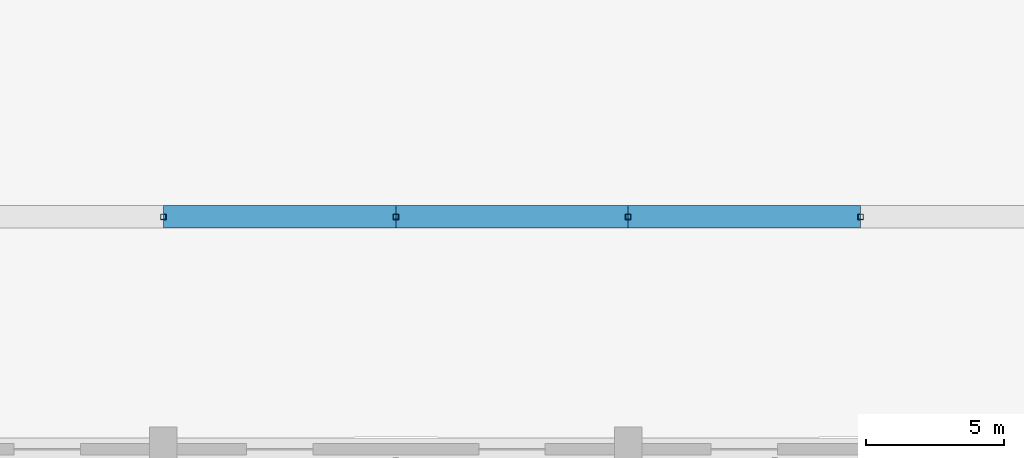
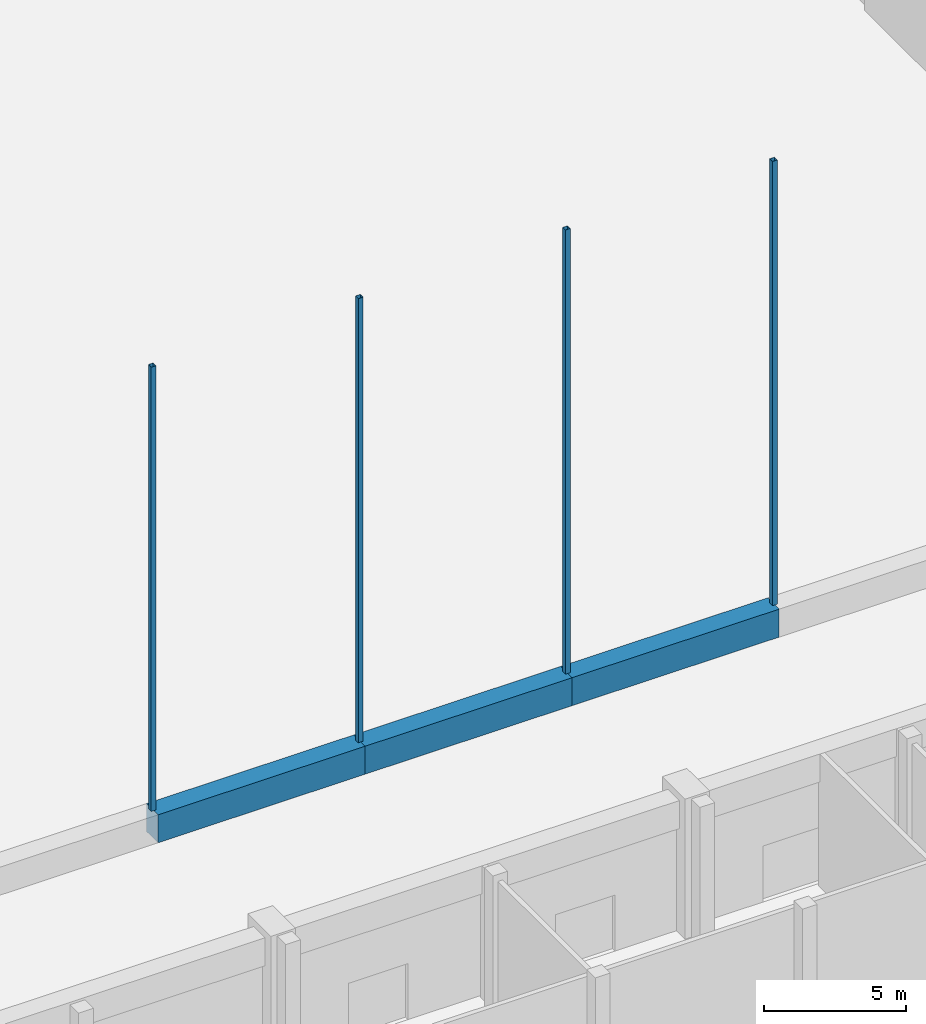
# One storey, part 56 of 210: 4 members, 3 beams.
"""IFC4 building model written with IfcOpenShell, lengths in metres."""

from ifc_helpers import new_model, si_unit, direction, frame, origin, origin_2d, place, context, subcontext, project, spatial, rectangle, hollow_rectangle, extrude, material, material_profile, profile_set, type_object, element, save


model = new_model("IFC4")

# Units and contexts
model_context = context("Model", 3, precision=1e-05, world=origin(), true_north=direction((0.0, 1.0)))
body_context = subcontext(model_context, "Body", "Model", "MODEL_VIEW")
ifc_project = project(units=[si_unit("LENGTHUNIT", "METRE"), si_unit("AREAUNIT", "SQUARE_METRE"), si_unit("VOLUMEUNIT", "CUBIC_METRE"), si_unit("PLANEANGLEUNIT", "RADIAN"), si_unit("MASSUNIT", "GRAM", prefix="KILO")], contexts=[model_context])

# Site, building, storey
site_placement = place(None, origin())
site = spatial("IfcSite", under=ifc_project, at=site_placement, CompositionType="ELEMENT")
building_placement = place(site_placement, origin())
building = spatial("IfcBuilding", under=site, at=building_placement, Name="Rain Tree Exposition and Congress Centre", CompositionType="ELEMENT")
storey_placement = place(building_placement, origin())
storey = spatial("IfcBuildingStorey", under=building, at=storey_placement, Name="L00", CompositionType="ELEMENT", Elevation=0.0)

# Beams
ifc_material_1 = material(Name="Precast concrete C50/60", Category="concrete")
ifc_material_profile_1 = material_profile(ifc_material_1, rectangle(XDim=0.800048828125, YDim=1.199951171875, at=origin_2d()), Name="RC 800x1200")
ifc_profile_set_1 = profile_set([ifc_material_profile_1], Name="Precast concrete C50/60")
beam_type = type_object("IfcBeamType", Name="Precast beam 800x1200", PredefinedType="BEAM", material=ifc_profile_set_1)
beam_placement = place(storey_placement, frame((193.199951171875, 109.199951171875, 5.10009765625), z_axis=(1.0, 0.0, 0.0), x_axis=(0.0, 1.0, 0.0)))
element("IfcBeam", 1, at=beam_placement, inside=storey, type_object=beam_type, Name="Gallery edge beam 6", PredefinedType="BEAM", context=body_context, shape_type="SweptSolid", body=[
    extrude(rectangle(XDim=0.800048828125, YDim=1.199951171875, at=origin_2d()), origin(), (0.0, 0.0, 1.0), 8.400146484375),
])
for number, where, z_axis, x_axis, name in (
    (2, (201.60009765625, 109.199951171875, 5.10009765625), (1.0, 0.0, 0.0), (0.0, 1.0, 0.0), "Gallery edge beam 7"),
    (3, (210.0, 109.199951171875, 5.10009765625), (1.0, 0.0, 0.0), (0.0, 1.0, 0.0), "Gallery edge beam 8"),
):
    element("IfcBeam", number, at=place(storey_placement, frame(where, z_axis=z_axis, x_axis=x_axis)), inside=storey, type_object=beam_type, Name=name, PredefinedType="BEAM", context=body_context, shape_type="SweptSolid", body=[
        extrude(rectangle(XDim=0.800048828125, YDim=1.199951171875, at=origin_2d()), origin(), (0.0, 0.0, 1.0), 8.39990234375),
    ])

# Members
ifc_material_2 = material(Name="Steel S355J2H", Category="steel")
ifc_material_profile_2 = material_profile(ifc_material_2, hollow_rectangle(XDim=0.199951171875, YDim=0.199951171875, WallThickness=0.009033203125, at=origin_2d()), Name="RHS 200x200x9")
ifc_profile_set_2 = profile_set([ifc_material_profile_2], Name="Steel S355J2H")
member_type = type_object("IfcMemberType", Name="Steel member member RHS 200x200x9", PredefinedType="MEMBER", material=ifc_profile_set_2)
for number, where, z_axis, x_axis, name in (
    (4, (193.199951171875, 109.199951171875, 5.699951171875), (0.0, 0.0, 1.0), (1.0, 0.0, 0.0), "Gallery hanger 15"),
    (5, (201.60009765625, 109.199951171875, 5.699951171875), (0.0, 0.0, 1.0), (1.0, 0.0, 0.0), "Gallery hanger 16"),
    (6, (210.0, 109.199951171875, 5.699951171875), (0.0, 0.0, 1.0), (1.0, 0.0, 0.0), "Gallery hanger 17"),
    (7, (218.39990234375, 109.199951171875, 5.699951171875), (0.0, 0.0, 1.0), (1.0, 0.0, 0.0), "Gallery hanger 18"),
):
    element("IfcMember", number, at=place(storey_placement, frame(where, z_axis=z_axis, x_axis=x_axis)), inside=storey, type_object=member_type, Name=name, PredefinedType="MEMBER", context=body_context, shape_type="SweptSolid", body=[
        extrude(hollow_rectangle(XDim=0.199951171875, YDim=0.199951171875, WallThickness=0.009033203125, at=origin_2d()), origin(), (0.0, 0.0, 1.0), 19.0439453125),
    ])

save(model, "model.ifc")
